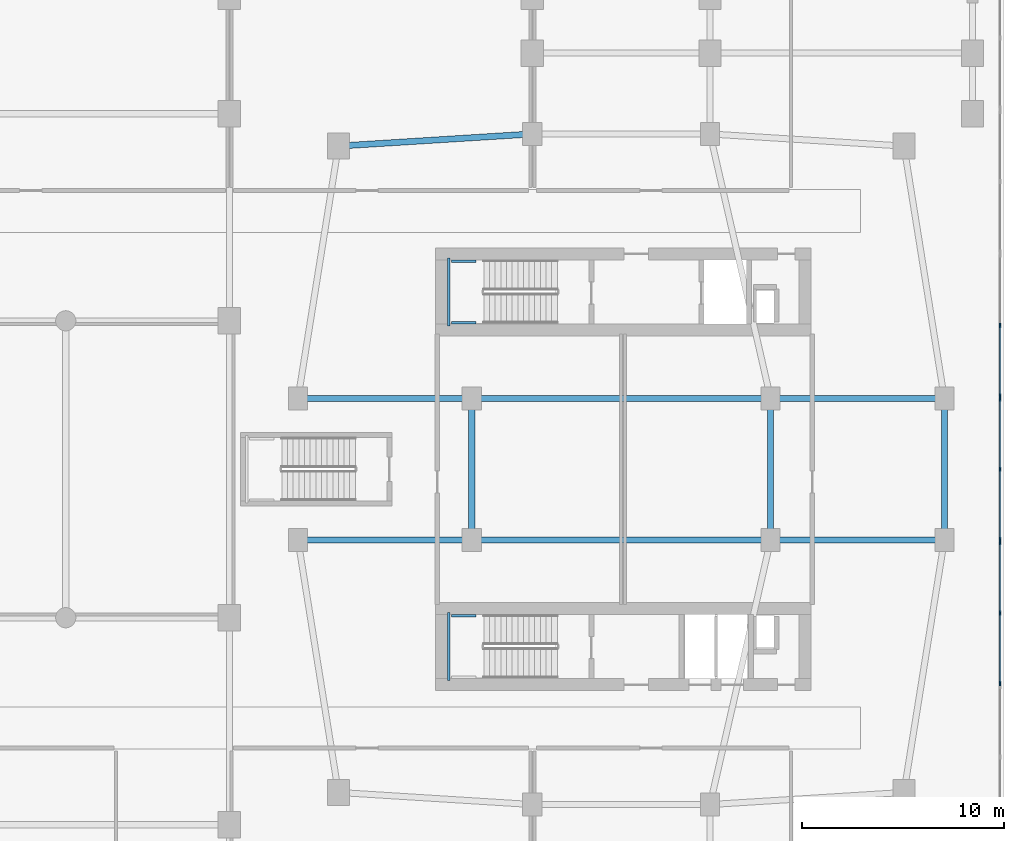
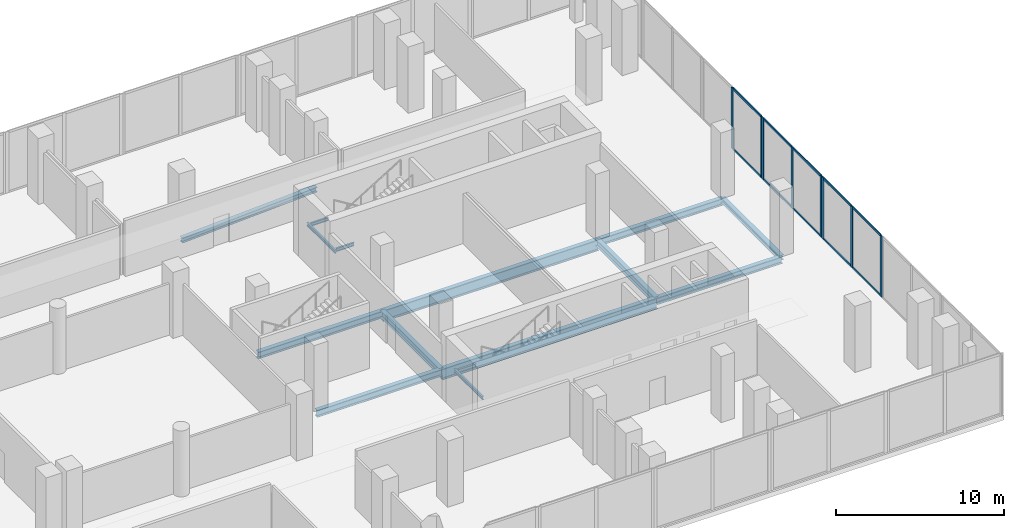
# One storey, part 9 of 23: 18 members, 15 beams, 3 elements without a shape of their own.
"""IFC4 building model written with IfcOpenShell, lengths in metres."""

from ifc_helpers import new_model, si_unit, derived_unit, direction, frame, origin, origin_2d, place, context, subcontext, project, spatial, rectangle, i_section, extrude, material, layer, layer_set, material_profile, profile_set, type_object, element, aggregate, save


model = new_model("IFC4")

# Units and contexts
model_context = context("Model", 3, precision=1e-05, world=origin(), true_north=direction((0.0, 1.0)))
body_context = subcontext(model_context, "Body", "Model", "MODEL_VIEW")
ifc_project = project(units=[si_unit("LENGTHUNIT", "METRE"), si_unit("AREAUNIT", "SQUARE_METRE"), si_unit("VOLUMEUNIT", "CUBIC_METRE"), si_unit("PLANEANGLEUNIT", "RADIAN"), si_unit("MASSUNIT", "GRAM", prefix="KILO"), derived_unit("THERMALTRANSMITTANCEUNIT", [(si_unit("POWERUNIT", "WATT"), 1), (si_unit("LENGTHUNIT", "METRE"), -2), (si_unit("THERMODYNAMICTEMPERATUREUNIT", "KELVIN"), -1)])], contexts=[model_context])

# Site, building, storey
site_placement = place(None, origin())
site = spatial("IfcSite", under=ifc_project, at=site_placement, CompositionType="ELEMENT")
building_placement = place(site_placement, origin())
building = spatial("IfcBuilding", under=site, at=building_placement, Name="Kivonza Crest Hotel", CompositionType="ELEMENT")
storey_placement = place(building_placement, frame((0.0, 0.0, 5.39990234375)))
storey = spatial("IfcBuildingStorey", under=building, at=storey_placement, Name="L01", CompositionType="ELEMENT", Elevation=5.39990234375)

# Beams
ifc_material_1 = material(Name="Steel S355", Category="steel")
ifc_material_profile_1 = material_profile(ifc_material_1, i_section(OverallWidth=0.300048828125, OverallDepth=0.360107421875, WebThickness=0.012451171875, FlangeThickness=0.0224609375, FilletRadius=0.027099609375, at=origin_2d()), Name="HEB 360")
ifc_profile_set_1 = profile_set([ifc_material_profile_1], Name="Steel S355")
beam_type_1 = type_object("IfcBeamType", Name="BM-HEB360", PredefinedType="SPANDREL", material=ifc_profile_set_1)
beam_1_placement = place(storey_placement, frame((93.0, 21.5, -0.52978515625), z_axis=(0.0, 1.0, 0.0), x_axis=(-1.0, 0.0, 0.0)))
element("IfcBeam", 1, at=beam_1_placement, inside=storey, type_object=beam_type_1, Name="Companion Tower T2 L01 perimeter spandrel E1-E2", PredefinedType="SPANDREL", context=body_context, shape_type="SweptSolid", body=[
    extrude(i_section(OverallWidth=0.300048828125, OverallDepth=0.360107421875, WebThickness=0.012451171875, FlangeThickness=0.0224609375, FilletRadius=0.027099609375, at=origin_2d()), origin(), (0.0, 0.0, 1.0), 7.0),
])
beam_2_placement = place(storey_placement, frame((72.60009765625, 41.60009765625, -0.52978515625), z_axis=(-0.998051985873, -0.062387767186, 0.0), x_axis=(0.062387767186, -0.998051985873, 0.0)))
element("IfcBeam", 2, at=beam_2_placement, inside=storey, type_object=beam_type_1, Name="Companion Tower T2 L01 perimeter spandrel N1-NW", PredefinedType="SPANDREL", context=body_context, shape_type="SweptSolid", body=[
    extrude(i_section(OverallWidth=0.300048828125, OverallDepth=0.360107421875, WebThickness=0.012451171875, FlangeThickness=0.0224609375, FilletRadius=0.027099609375, at=origin_2d()), origin(), (0.0, 0.0, 1.0), 9.618896484375),
])
ifc_material_profile_2 = material_profile(ifc_material_1, i_section(OverallWidth=0.300048828125, OverallDepth=0.5, WebThickness=0.014404296875, FlangeThickness=0.028076171875, FilletRadius=0.027099609375, at=origin_2d()), Name="HEB 500")
ifc_profile_set_2 = profile_set([ifc_material_profile_2], Name="Steel S355")
beam_type_2 = type_object("IfcBeamType", Name="BM-HEB500", PredefinedType="BEAM", material=ifc_profile_set_2)
for number, where, z_axis, x_axis, name in (
    (3, (61.0, 21.5, -0.599853515625), (1.0, 0.0, 0.0), (0.0, 1.0, 0.0), "Companion Tower T2 L01 girder W1-WL1"),
    (4, (61.0, 28.5, -0.599853515625), (1.0, 0.0, 0.0), (0.0, 1.0, 0.0), "Companion Tower T2 L01 girder W2-WL2"),
):
    element("IfcBeam", number, at=place(storey_placement, frame(where, z_axis=z_axis, x_axis=x_axis)), inside=storey, type_object=beam_type_2, Name=name, PredefinedType="BEAM", context=body_context, shape_type="SweptSolid", body=[
        extrude(i_section(OverallWidth=0.300048828125, OverallDepth=0.5, WebThickness=0.014404296875, FlangeThickness=0.028076171875, FilletRadius=0.027099609375, at=origin_2d()), origin(), (0.0, 0.0, 1.0), 8.60009765625),
    ])
beam_3_placement = place(storey_placement, frame((69.60009765625, 21.5, -0.599853515625), z_axis=(0.0, 1.0, 0.0), x_axis=(-1.0, 0.0, 0.0)))
element("IfcBeam", 5, at=beam_3_placement, inside=storey, type_object=beam_type_2, Name="Companion Tower T2 L01 girder WL1-WL2", PredefinedType="BEAM", context=body_context, shape_type="SweptSolid", body=[
    extrude(i_section(OverallWidth=0.300048828125, OverallDepth=0.5, WebThickness=0.014404296875, FlangeThickness=0.028076171875, FilletRadius=0.027099609375, at=origin_2d()), origin(), (0.0, 0.0, 1.0), 7.0),
])
for number, where, z_axis, x_axis, name in (
    (6, (84.39990234375, 21.5, -0.599853515625), (1.0, 0.0, 0.0), (0.0, 1.0, 0.0), "Companion Tower T2 L01 girder WR1-E1"),
    (7, (84.39990234375, 28.5, -0.599853515625), (1.0, 0.0, 0.0), (0.0, 1.0, 0.0), "Companion Tower T2 L01 girder WR2-E2"),
):
    element("IfcBeam", number, at=place(storey_placement, frame(where, z_axis=z_axis, x_axis=x_axis)), inside=storey, type_object=beam_type_2, Name=name, PredefinedType="BEAM", context=body_context, shape_type="SweptSolid", body=[
        extrude(i_section(OverallWidth=0.300048828125, OverallDepth=0.5, WebThickness=0.014404296875, FlangeThickness=0.028076171875, FilletRadius=0.027099609375, at=origin_2d()), origin(), (0.0, 0.0, 1.0), 8.60009765625),
    ])
beam_4_placement = place(storey_placement, frame((84.39990234375, 21.5, -0.599853515625), z_axis=(0.0, 1.0, 0.0), x_axis=(-1.0, 0.0, 0.0)))
element("IfcBeam", 8, at=beam_4_placement, inside=storey, type_object=beam_type_2, Name="Companion Tower T2 L01 girder WR1-WR2", PredefinedType="BEAM", context=body_context, shape_type="SweptSolid", body=[
    extrude(i_section(OverallWidth=0.300048828125, OverallDepth=0.5, WebThickness=0.014404296875, FlangeThickness=0.028076171875, FilletRadius=0.027099609375, at=origin_2d()), origin(), (0.0, 0.0, 1.0), 7.0),
])
ifc_material_profile_3 = material_profile(ifc_material_1, i_section(OverallWidth=0.300048828125, OverallDepth=0.800048828125, WebThickness=0.017578125, FlangeThickness=0.032958984375, FilletRadius=0.030029296875, at=origin_2d()), Name="HEB 800")
ifc_profile_set_3 = profile_set([ifc_material_profile_3], Name="Steel S355")
beam_type_3 = type_object("IfcBeamType", Name="BM-HEB800", PredefinedType="BEAM", material=ifc_profile_set_3)
for number, where, z_axis, x_axis, name in (
    (9, (69.60009765625, 21.5, -0.75), (1.0, 0.0, 0.0), (0.0, 1.0, 0.0), "L01 podium girder X 23"),
    (10, (69.60009765625, 28.5, -0.75), (1.0, 0.0, 0.0), (0.0, 1.0, 0.0), "L01 podium girder X 28"),
):
    element("IfcBeam", number, at=place(storey_placement, frame(where, z_axis=z_axis, x_axis=x_axis)), inside=storey, type_object=beam_type_3, Name=name, PredefinedType="BEAM", context=body_context, shape_type="SweptSolid", body=[
        extrude(i_section(OverallWidth=0.300048828125, OverallDepth=0.800048828125, WebThickness=0.017578125, FlangeThickness=0.032958984375, FilletRadius=0.030029296875, at=origin_2d()), origin(), (0.0, 0.0, 1.0), 14.7998046875),
    ])
ifc_material_profile_4 = material_profile(ifc_material_1, i_section(OverallWidth=0.1201171875, OverallDepth=0.239990234375, WebThickness=0.006103515625, FlangeThickness=0.009765625, FilletRadius=0.014892578125, at=origin_2d()), Name="IPE 240")
ifc_profile_set_4 = profile_set([ifc_material_profile_4], Name="Steel S355")
beam_type_4 = type_object("IfcBeamType", Name="BM-LLDG-240", PredefinedType="BEAM", material=ifc_profile_set_4)
beam_5_placement = place(storey_placement, frame((68.4599609375, 32.10009765625, 2.080078125), z_axis=(0.0, 1.0, 0.0), x_axis=(-1.0, 0.0, 0.0)))
element("IfcBeam", 11, at=beam_5_placement, inside=storey, type_object=beam_type_4, Name="Stair ST-T2-N L01 West landing corbel", PredefinedType="BEAM", context=body_context, shape_type="SweptSolid", body=[
    extrude(i_section(OverallWidth=0.1201171875, OverallDepth=0.239990234375, WebThickness=0.006103515625, FlangeThickness=0.009765625, FilletRadius=0.014892578125, at=origin_2d()), origin(), (0.0, 0.0, 1.0), 3.35986328125),
])
for number, where, z_axis, x_axis, name in (
    (12, (68.590087890625, 32.260009765625, 2.080078125), (1.0, 0.0, 0.0), (0.0, 1.0, 0.0), "Stair ST-T2-N L01 South landing corbel"),
    (13, (68.590087890625, 35.300048828125, 2.080078125), (1.0, 0.0, 0.0), (0.0, 1.0, 0.0), "Stair ST-T2-N L01 North landing corbel"),
):
    element("IfcBeam", number, at=place(storey_placement, frame(where, z_axis=z_axis, x_axis=x_axis)), inside=storey, type_object=beam_type_4, Name=name, PredefinedType="BEAM", context=body_context, shape_type="SweptSolid", body=[
        extrude(i_section(OverallWidth=0.1201171875, OverallDepth=0.239990234375, WebThickness=0.006103515625, FlangeThickness=0.009765625, FilletRadius=0.014892578125, at=origin_2d()), origin(), (0.0, 0.0, 1.0), 1.2099609375),
    ])
beam_6_placement = place(storey_placement, frame((68.4599609375, 14.5400390625, 2.080078125), z_axis=(0.0, 1.0, 0.0), x_axis=(-1.0, 0.0, 0.0)))
element("IfcBeam", 14, at=beam_6_placement, inside=storey, type_object=beam_type_4, Name="Stair ST-T2-S L01 West landing corbel", PredefinedType="BEAM", context=body_context, shape_type="SweptSolid", body=[
    extrude(i_section(OverallWidth=0.1201171875, OverallDepth=0.239990234375, WebThickness=0.006103515625, FlangeThickness=0.009765625, FilletRadius=0.014892578125, at=origin_2d()), origin(), (0.0, 0.0, 1.0), 3.35986328125),
])
beam_7_placement = place(storey_placement, frame((68.590087890625, 17.739990234375, 2.080078125), z_axis=(1.0, 0.0, 0.0), x_axis=(0.0, 1.0, 0.0)))
element("IfcBeam", 15, at=beam_7_placement, inside=storey, type_object=beam_type_4, Name="Stair ST-T2-S L01 North landing corbel", PredefinedType="BEAM", context=body_context, shape_type="SweptSolid", body=[
    extrude(i_section(OverallWidth=0.1201171875, OverallDepth=0.239990234375, WebThickness=0.006103515625, FlangeThickness=0.009765625, FilletRadius=0.014892578125, at=origin_2d()), origin(), (0.0, 0.0, 1.0), 1.2099609375),
])

# Curtain wall, members
ifc_material_2 = material(Name="Anodised bronze aluminium and low-E double glazing", Category="aluminium")
ifc_layer = layer(ifc_material_2, 0.219970703125)
ifc_layer_set = layer_set([ifc_layer], Name="Anodised bronze aluminium and low-E double glazing")
curtain_wall_type = type_object("IfcCurtainWallType", Name="CW-SYS-1", PredefinedType="NOTDEFINED", material=ifc_layer_set)
curtain_wall_1_placement = place(storey_placement, origin())
curtain_wall_1 = element("IfcCurtainWall", 16, at=curtain_wall_1_placement, inside=storey, type_object=curtain_wall_type, Name="L01 unitised curtain wall CW-POD-L01-15", PredefinedType="NOTDEFINED")
ifc_material_3 = material(Name="Anodised bronze aluminium", Category="aluminium")
ifc_material_profile_5 = material_profile(ifc_material_3, rectangle(XDim=0.074951171875, YDim=0.219970703125, at=origin_2d()), Name="CW-M 75x220")
ifc_profile_set_5 = profile_set([ifc_material_profile_5], Name="Anodised bronze aluminium")
member_type_1 = type_object("IfcMemberType", Name="CW-MUL-75x220", PredefinedType="MULLION", material=ifc_profile_set_5)
member_1_placement = place(storey_placement, frame((95.760009765625, 14.3974609375, 0.0), z_axis=(0.0, 0.0, 1.0), x_axis=(-1.0, 0.0, 0.0)))
member_1 = element("IfcMember", 17, at=member_1_placement, type_object=member_type_1, Name="CW-1 mullion 1", PredefinedType="MULLION", context=body_context, shape_type="SweptSolid", body=[
    extrude(rectangle(XDim=0.074951171875, YDim=0.219970703125, at=origin_2d()), origin(), (0.0, 0.0, 1.0), 4.4501953125),
])
member_2_placement = place(storey_placement, frame((95.760009765625, 17.8798828125, 0.0), z_axis=(0.0, 0.0, 1.0), x_axis=(-1.0, 0.0, 0.0)))
member_2 = element("IfcMember", 18, at=member_2_placement, type_object=member_type_1, Name="CW-1 mullion 2", PredefinedType="MULLION", context=body_context, shape_type="SweptSolid", body=[
    extrude(rectangle(XDim=0.074951171875, YDim=0.219970703125, at=origin_2d()), origin(), (0.0, 0.0, 1.0), 4.4501953125),
])
member_3_placement = place(storey_placement, frame((95.760009765625, 21.362548828125, 0.0), z_axis=(0.0, 0.0, 1.0), x_axis=(-1.0, 0.0, 0.0)))
member_3 = element("IfcMember", 19, at=member_3_placement, type_object=member_type_1, Name="CW-1 mullion 3", PredefinedType="MULLION", context=body_context, shape_type="SweptSolid", body=[
    extrude(rectangle(XDim=0.074951171875, YDim=0.219970703125, at=origin_2d()), origin(), (0.0, 0.0, 1.0), 4.4501953125),
])

curtain_wall_2_placement = place(storey_placement, origin())
curtain_wall_2 = element("IfcCurtainWall", 20, at=curtain_wall_2_placement, inside=storey, type_object=curtain_wall_type, Name="L01 unitised curtain wall CW-POD-L01-16", PredefinedType="NOTDEFINED")
member_4_placement = place(storey_placement, frame((95.760009765625, 21.517578125, 0.0), z_axis=(0.0, 0.0, 1.0), x_axis=(-1.0, 0.0, 0.0)))
member_4 = element("IfcMember", 21, at=member_4_placement, type_object=member_type_1, Name="CW-1 mullion 1", PredefinedType="MULLION", context=body_context, shape_type="SweptSolid", body=[
    extrude(rectangle(XDim=0.074951171875, YDim=0.219970703125, at=origin_2d()), origin(), (0.0, 0.0, 1.0), 4.4501953125),
])
member_5_placement = place(storey_placement, frame((95.760009765625, 25.0, 0.0), z_axis=(0.0, 0.0, 1.0), x_axis=(-1.0, 0.0, 0.0)))
member_5 = element("IfcMember", 22, at=member_5_placement, type_object=member_type_1, Name="CW-1 mullion 2", PredefinedType="MULLION", context=body_context, shape_type="SweptSolid", body=[
    extrude(rectangle(XDim=0.074951171875, YDim=0.219970703125, at=origin_2d()), origin(), (0.0, 0.0, 1.0), 4.4501953125),
])
member_6_placement = place(storey_placement, frame((95.760009765625, 28.482421875, 0.0), z_axis=(0.0, 0.0, 1.0), x_axis=(-1.0, 0.0, 0.0)))
member_6 = element("IfcMember", 23, at=member_6_placement, type_object=member_type_1, Name="CW-1 mullion 3", PredefinedType="MULLION", context=body_context, shape_type="SweptSolid", body=[
    extrude(rectangle(XDim=0.074951171875, YDim=0.219970703125, at=origin_2d()), origin(), (0.0, 0.0, 1.0), 4.4501953125),
])

curtain_wall_3_placement = place(storey_placement, origin())
curtain_wall_3 = element("IfcCurtainWall", 24, at=curtain_wall_3_placement, inside=storey, type_object=curtain_wall_type, Name="L01 unitised curtain wall CW-POD-L01-17", PredefinedType="NOTDEFINED")
member_7_placement = place(storey_placement, frame((95.760009765625, 28.637451171875, 0.0), z_axis=(0.0, 0.0, 1.0), x_axis=(-1.0, 0.0, 0.0)))
member_7 = element("IfcMember", 25, at=member_7_placement, type_object=member_type_1, Name="CW-1 mullion 1", PredefinedType="MULLION", context=body_context, shape_type="SweptSolid", body=[
    extrude(rectangle(XDim=0.074951171875, YDim=0.219970703125, at=origin_2d()), origin(), (0.0, 0.0, 1.0), 4.4501953125),
])
member_8_placement = place(storey_placement, frame((95.760009765625, 32.1201171875, 0.0), z_axis=(0.0, 0.0, 1.0), x_axis=(-1.0, 0.0, 0.0)))
member_8 = element("IfcMember", 26, at=member_8_placement, type_object=member_type_1, Name="CW-1 mullion 2", PredefinedType="MULLION", context=body_context, shape_type="SweptSolid", body=[
    extrude(rectangle(XDim=0.074951171875, YDim=0.219970703125, at=origin_2d()), origin(), (0.0, 0.0, 1.0), 4.4501953125),
])

# Member
ifc_material_profile_6 = material_profile(ifc_material_3, rectangle(XDim=0.074951171875, YDim=0.159912109375, at=origin_2d()), Name="CW-T 75x160")
ifc_profile_set_6 = profile_set([ifc_material_profile_6], Name="Anodised bronze aluminium")
member_type_2 = type_object("IfcMemberType", Name="CW-TRN-75x160", PredefinedType="USERDEFINED", material=ifc_profile_set_6)
member_9_placement = place(storey_placement, frame((95.760009765625, 14.43505859375, 0.03759765625), z_axis=(0.0, 1.0, 0.0), x_axis=(-1.0, 0.0, 0.0)))
member_9 = element("IfcMember", 27, at=member_9_placement, type_object=member_type_2, Name="CW-1 transom 1.1", ObjectType="TRANSOM", PredefinedType="USERDEFINED", context=body_context, shape_type="SweptSolid", body=[
    extrude(rectangle(XDim=0.074951171875, YDim=0.159912109375, at=origin_2d()), origin(), (0.0, 0.0, 1.0), 3.407470703125),
])

member_10_placement = place(storey_placement, frame((95.760009765625, 14.43505859375, 4.41259765625), z_axis=(0.0, 1.0, 0.0), x_axis=(-1.0, 0.0, 0.0)))
member_10 = element("IfcMember", 28, at=member_10_placement, type_object=member_type_2, Name="CW-1 transom 1.2", ObjectType="TRANSOM", PredefinedType="USERDEFINED", context=body_context, shape_type="SweptSolid", body=[
    extrude(rectangle(XDim=0.074951171875, YDim=0.159912109375, at=origin_2d()), origin(), (0.0, 0.0, 1.0), 3.407470703125),
])

member_11_placement = place(storey_placement, frame((95.760009765625, 17.91748046875, 0.03759765625), z_axis=(0.0, 1.0, 0.0), x_axis=(-1.0, 0.0, 0.0)))
member_11 = element("IfcMember", 29, at=member_11_placement, type_object=member_type_2, Name="CW-1 transom 2.1", ObjectType="TRANSOM", PredefinedType="USERDEFINED", context=body_context, shape_type="SweptSolid", body=[
    extrude(rectangle(XDim=0.074951171875, YDim=0.159912109375, at=origin_2d()), origin(), (0.0, 0.0, 1.0), 3.407470703125),
])

member_12_placement = place(storey_placement, frame((95.760009765625, 17.91748046875, 4.41259765625), z_axis=(0.0, 1.0, 0.0), x_axis=(-1.0, 0.0, 0.0)))
member_12 = element("IfcMember", 30, at=member_12_placement, type_object=member_type_2, Name="CW-1 transom 2.2", ObjectType="TRANSOM", PredefinedType="USERDEFINED", context=body_context, shape_type="SweptSolid", body=[
    extrude(rectangle(XDim=0.074951171875, YDim=0.159912109375, at=origin_2d()), origin(), (0.0, 0.0, 1.0), 3.407470703125),
])

aggregate(curtain_wall_1, [member_1, member_2, member_3, member_9, member_10, member_11, member_12])

member_13_placement = place(storey_placement, frame((95.760009765625, 21.554931640625, 0.03759765625), z_axis=(0.0, 1.0, 0.0), x_axis=(-1.0, 0.0, 0.0)))
member_13 = element("IfcMember", 31, at=member_13_placement, type_object=member_type_2, Name="CW-1 transom 1.1", ObjectType="TRANSOM", PredefinedType="USERDEFINED", context=body_context, shape_type="SweptSolid", body=[
    extrude(rectangle(XDim=0.074951171875, YDim=0.159912109375, at=origin_2d()), origin(), (0.0, 0.0, 1.0), 3.407470703125),
])

member_14_placement = place(storey_placement, frame((95.760009765625, 21.554931640625, 4.41259765625), z_axis=(0.0, 1.0, 0.0), x_axis=(-1.0, 0.0, 0.0)))
member_14 = element("IfcMember", 32, at=member_14_placement, type_object=member_type_2, Name="CW-1 transom 1.2", ObjectType="TRANSOM", PredefinedType="USERDEFINED", context=body_context, shape_type="SweptSolid", body=[
    extrude(rectangle(XDim=0.074951171875, YDim=0.159912109375, at=origin_2d()), origin(), (0.0, 0.0, 1.0), 3.407470703125),
])

member_15_placement = place(storey_placement, frame((95.760009765625, 25.03759765625, 0.03759765625), z_axis=(0.0, 1.0, 0.0), x_axis=(-1.0, 0.0, 0.0)))
member_15 = element("IfcMember", 33, at=member_15_placement, type_object=member_type_2, Name="CW-1 transom 2.1", ObjectType="TRANSOM", PredefinedType="USERDEFINED", context=body_context, shape_type="SweptSolid", body=[
    extrude(rectangle(XDim=0.074951171875, YDim=0.159912109375, at=origin_2d()), origin(), (0.0, 0.0, 1.0), 3.407470703125),
])

member_16_placement = place(storey_placement, frame((95.760009765625, 25.03759765625, 4.41259765625), z_axis=(0.0, 1.0, 0.0), x_axis=(-1.0, 0.0, 0.0)))
member_16 = element("IfcMember", 34, at=member_16_placement, type_object=member_type_2, Name="CW-1 transom 2.2", ObjectType="TRANSOM", PredefinedType="USERDEFINED", context=body_context, shape_type="SweptSolid", body=[
    extrude(rectangle(XDim=0.074951171875, YDim=0.159912109375, at=origin_2d()), origin(), (0.0, 0.0, 1.0), 3.407470703125),
])

aggregate(curtain_wall_2, [member_4, member_5, member_6, member_13, member_14, member_15, member_16])

member_17_placement = place(storey_placement, frame((95.760009765625, 28.675048828125, 0.03759765625), z_axis=(0.0, 1.0, 0.0), x_axis=(-1.0, 0.0, 0.0)))
member_17 = element("IfcMember", 35, at=member_17_placement, type_object=member_type_2, Name="CW-1 transom 1.1", ObjectType="TRANSOM", PredefinedType="USERDEFINED", context=body_context, shape_type="SweptSolid", body=[
    extrude(rectangle(XDim=0.074951171875, YDim=0.159912109375, at=origin_2d()), origin(), (0.0, 0.0, 1.0), 3.407470703125),
])

member_18_placement = place(storey_placement, frame((95.760009765625, 28.675048828125, 4.41259765625), z_axis=(0.0, 1.0, 0.0), x_axis=(-1.0, 0.0, 0.0)))
member_18 = element("IfcMember", 36, at=member_18_placement, type_object=member_type_2, Name="CW-1 transom 1.2", ObjectType="TRANSOM", PredefinedType="USERDEFINED", context=body_context, shape_type="SweptSolid", body=[
    extrude(rectangle(XDim=0.074951171875, YDim=0.159912109375, at=origin_2d()), origin(), (0.0, 0.0, 1.0), 3.407470703125),
])

aggregate(curtain_wall_3, [member_7, member_8, member_17, member_18])

save(model, "model.ifc")
